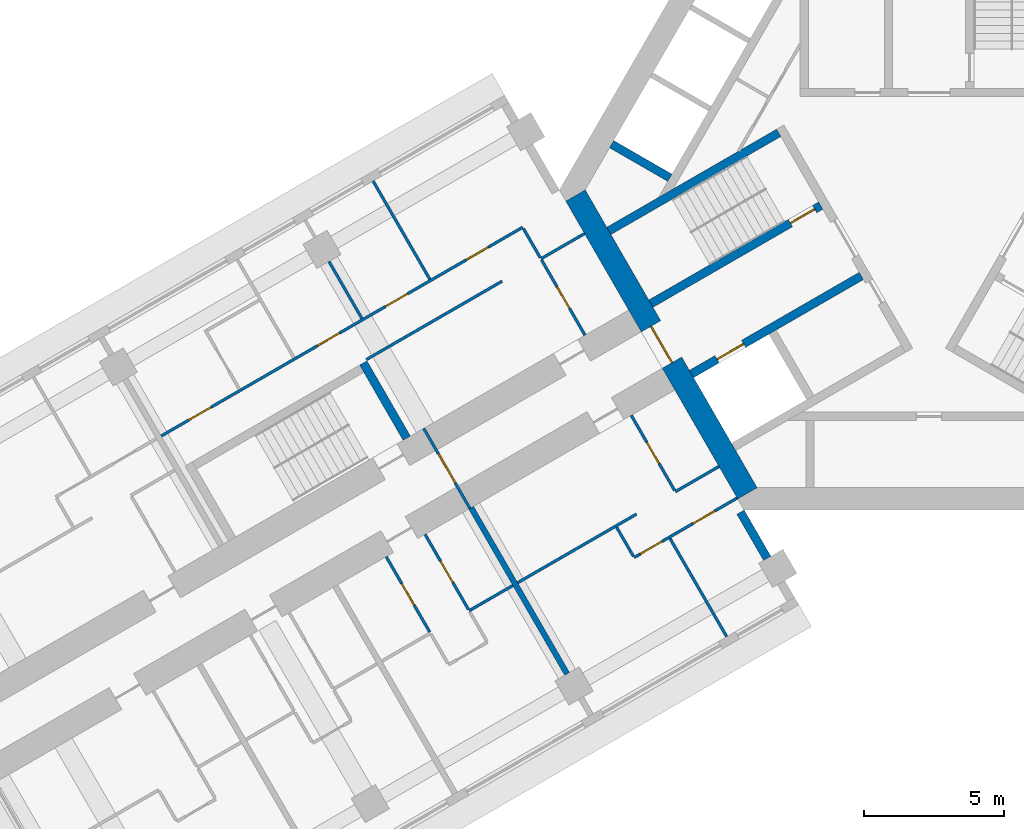
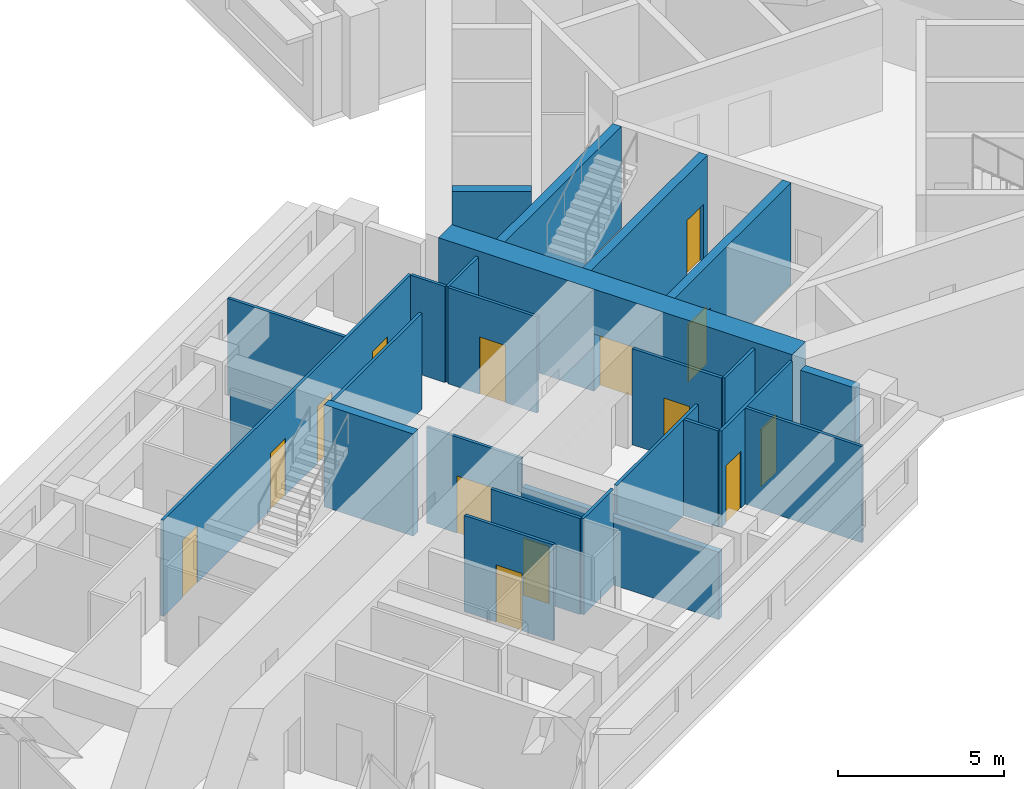
# One storey, part 4 of 13: 25 walls, 14 doors, 14 openings.
"""IFC4 building model written with IfcOpenShell, lengths in metres."""

from ifc_helpers import new_model, si_unit, direction, frame, frame_2d, origin, place, context, subcontext, project, spatial, rectangle, extrude, material, layer, layer_set, type_object, element, fill, save


model = new_model("IFC4")

# Units and contexts
model_context = context("Model", 3, precision=1e-05, world=origin(), true_north=direction((0.0, 1.0)))
body_context = subcontext(model_context, "Body", "Model", "MODEL_VIEW")
ifc_project = project(units=[si_unit("LENGTHUNIT", "METRE"), si_unit("AREAUNIT", "SQUARE_METRE"), si_unit("VOLUMEUNIT", "CUBIC_METRE"), si_unit("PLANEANGLEUNIT", "RADIAN"), si_unit("MASSUNIT", "GRAM", prefix="KILO")], contexts=[model_context])

# Site, building, storey
site_placement = place(None, origin())
site = spatial("IfcSite", under=ifc_project, at=site_placement, CompositionType="ELEMENT")
building_placement = place(site_placement, origin())
building = spatial("IfcBuilding", under=site, at=building_placement, Name="Impinga Residences", CompositionType="ELEMENT")
storey_placement = place(building_placement, frame((0.0, 0.0, 136.0)))
storey = spatial("IfcBuildingStorey", under=building, at=storey_placement, Name="L33", CompositionType="ELEMENT", Elevation=136.0)

# Wall, opening, door
ifc_material_1 = material(Name="Concrete blockwork", Category="masonry")
ifc_layer_1 = layer(ifc_material_1, 0.10009765625)
ifc_layer_set_1 = layer_set([ifc_layer_1], Name="CP1 core room partition, blockwork 100")
wall_type_1 = type_object("IfcWallType", Name="CP1 core room partition, blockwork 100", PredefinedType="PARTITIONING", material=ifc_layer_set_1)
wall_1_placement = place(storey_placement, frame((-16.393310546875, -11.369873046875, 0.0), z_axis=(0.0, 0.0, 1.0), x_axis=(-0.499974350878, 0.866040211805, 0.0)))
wall_1 = element("IfcWall", 1, at=wall_1_placement, inside=storey, type_object=wall_type_1, Name="Core room partition, blockwork L33:W:SCR", PredefinedType="PARTITIONING", context=body_context, shape_type="SweptSolid", body=[
    extrude(rectangle(XDim=3.300048828125, YDim=0.10009765625, at=frame_2d((1.64990234375, 0.0))), origin(), (0.0, 0.0, 1.0), 3.530029296875),
])
opening_1_placement = place(wall_1_placement, frame((1.050048828125, 0.0, 0.0)))
opening_1 = element("IfcOpeningElement", 2, at=opening_1_placement, cuts=wall_1, Name="Opening D3", PredefinedType="OPENING", context=body_context, shape_type="SweptSolid", body=[
    extrude(rectangle(XDim=1.199951171875, YDim=2.10009765625, at=frame_2d((0.60009765625, 1.050048828125))), frame((0.0, 0.06005859375, 0.0), z_axis=(0.0, -1.0, 0.0), x_axis=(1.0, 0.0, 0.0)), (0.0, 0.0, 1.0), 0.1201171875),
])
ifc_material_2 = material(Name="Timber door set", Category="wood")
door_type_1 = type_object("IfcDoorType", Name="D3 room door, leaf and a half 1200x2100", OperationType="DOUBLE_SWING_LEFT", PredefinedType="DOOR", material=ifc_material_2)
door_1_placement = place(opening_1_placement, origin())
door_1 = element("IfcDoor", 3, at=door_1_placement, inside=storey, type_object=door_type_1, Name="Corridor smoke door W", OperationType="DOUBLE_SWING_LEFT", OverallHeight=2.10009765625, OverallWidth=1.199951171875, PredefinedType="DOOR", context=body_context, shape_type="SweptSolid", body=[
    extrude(rectangle(XDim=1.199951171875, YDim=2.10009765625, at=frame_2d((0.60009765625, 1.050048828125))), frame((0.0, 0.02490234375, 0.0), z_axis=(0.0, -1.0, 0.0), x_axis=(1.0, 0.0, 0.0)), (0.0, 0.0, 1.0), 0.050048828125),
])
fill(opening_1, door_1)

# Walls
ifc_material_3 = material(Name="Terracotta rainscreen on blockwork", Category="masonry")
ifc_layer_2 = layer(ifc_material_3, 0.300048828125)
ifc_layer_set_2 = layer_set([ifc_layer_2], Name="EW1 external wall, terracotta rainscreen on blockwork 300")
wall_type_2 = type_object("IfcWallType", Name="EW1 external wall, terracotta rainscreen on blockwork 300", PredefinedType="SOLIDWALL", material=ifc_layer_set_2)
wall_2_placement = place(storey_placement, frame((-6.72998046875, -11.506591796875, 0.0), z_axis=(0.0, 0.0, 1.0), x_axis=(0.500063520245, -0.865988727248, 0.0)))
element("IfcWall", 4, at=wall_2_placement, inside=storey, type_object=wall_type_2, Name="External wall EW1 L33", PredefinedType="SOLIDWALL", context=body_context, shape_type="SweptSolid", body=[
    extrude(rectangle(XDim=1.900146484375, YDim=0.300048828125, at=frame_2d((0.9501953125, 0.0))), origin(), (0.0, 0.0, 1.0), 3.530029296875),
])
ifc_material_4 = material(Name="Gypsum board on steel studs", Category="steel")
ifc_layer_3 = layer(ifc_material_4, 0.10009765625)
ifc_layer_set_3 = layer_set([ifc_layer_3], Name="Gypsum board on steel studs")
wall_type_3 = type_object("IfcWallType", Name="IP1 partition 100", PredefinedType="PARTITIONING", material=ifc_layer_set_3)
wall_3_placement = place(storey_placement, frame((-7.5, -9.872802734375, 0.0), z_axis=(0.0, 0.0, 1.0), x_axis=(-0.866047807691, -0.499961193289, 0.0)))
element("IfcWall", 5, at=wall_3_placement, inside=storey, type_object=wall_type_3, Name="Partition L33-WA1:DIV0", PredefinedType="PARTITIONING", context=body_context, shape_type="SweptSolid", body=[
    extrude(rectangle(XDim=1.800048828125, YDim=0.10009765625, at=frame_2d((0.89990234375, 0.0))), origin(), (0.0, 0.0, 1.0), 3.530029296875),
])
wall_4_placement = place(storey_placement, frame((-10.444580078125, -11.57275390625, 0.0), z_axis=(0.0, 0.0, 1.0), x_axis=(-0.866023786258, -0.500002801628, 0.0)))
element("IfcWall", 6, at=wall_4_placement, inside=storey, type_object=wall_type_3, Name="Partition L33-WA1:DIV1", PredefinedType="PARTITIONING", context=body_context, shape_type="SweptSolid", body=[
    extrude(rectangle(XDim=4.89990234375, YDim=0.10009765625, at=frame_2d((2.449951171875, 0.0))), origin(), (0.0, 0.0, 1.0), 3.530029296875),
])

# Wall, openings, doors
wall_5_placement = place(storey_placement, frame((-6.85009765625, -10.99853515625, 0.0), z_axis=(0.0, 0.0, 1.0), x_axis=(-0.866014341725, -0.50001915956, 0.0)))
wall_5 = element("IfcWall", 7, at=wall_5_placement, inside=storey, type_object=wall_type_3, Name="Partition L33-WA1:STRIP", PredefinedType="PARTITIONING", context=body_context, shape_type="SweptSolid", body=[
    extrude(rectangle(XDim=4.249755859375, YDim=0.10009765625, at=frame_2d((2.125, 0.0))), origin(), (0.0, 0.0, 1.0), 3.530029296875),
])
opening_2_placement = place(wall_5_placement, frame((0.925048828125, 0.0, 0.0)))
opening_2 = element("IfcOpeningElement", 8, at=opening_2_placement, cuts=wall_5, Name="Opening D2", PredefinedType="OPENING", context=body_context, shape_type="SweptSolid", body=[
    extrude(rectangle(XDim=0.89990234375, YDim=2.10009765625, at=frame_2d((0.449951171875, 1.050048828125))), frame((0.0, 0.06005859375, 0.0), z_axis=(0.0, -1.0, 0.0), x_axis=(1.0, 0.0, 0.0)), (0.0, 0.0, 1.0), 0.1201171875),
])
opening_3_placement = place(wall_5_placement, frame((3.10009765625, 0.0, 0.0)))
opening_3 = element("IfcOpeningElement", 9, at=opening_3_placement, cuts=wall_5, Name="Opening D2", PredefinedType="OPENING", context=body_context, shape_type="SweptSolid", body=[
    extrude(rectangle(XDim=0.89990234375, YDim=2.10009765625, at=frame_2d((0.449951171875, 1.050048828125))), frame((0.0, 0.06005859375, 0.0), z_axis=(0.0, -1.0, 0.0), x_axis=(1.0, 0.0, 0.0)), (0.0, 0.0, 1.0), 0.1201171875),
])
door_type_2 = type_object("IfcDoorType", Name="D2 internal door 900x2100", OperationType="SINGLE_SWING_LEFT", PredefinedType="DOOR", material=ifc_material_2)
door_2_placement = place(opening_2_placement, origin())
door_2 = element("IfcDoor", 10, at=door_2_placement, inside=storey, type_object=door_type_2, Name="Apartment L33-WA1 room door", OperationType="SINGLE_SWING_LEFT", OverallHeight=2.10009765625, OverallWidth=0.89990234375, PredefinedType="DOOR", context=body_context, shape_type="SweptSolid", body=[
    extrude(rectangle(XDim=0.89990234375, YDim=2.10009765625, at=frame_2d((0.449951171875, 1.050048828125))), frame((0.0, 0.02490234375, 0.0), z_axis=(0.0, -1.0, 0.0), x_axis=(1.0, 0.0, 0.0)), (0.0, 0.0, 1.0), 0.050048828125),
])
fill(opening_2, door_2)
door_3_placement = place(opening_3_placement, origin())
door_3 = element("IfcDoor", 11, at=door_3_placement, inside=storey, type_object=door_type_2, Name="Apartment L33-WA1 room door", OperationType="SINGLE_SWING_RIGHT", OverallHeight=2.10009765625, OverallWidth=0.89990234375, PredefinedType="DOOR", context=body_context, shape_type="SweptSolid", body=[
    extrude(rectangle(XDim=0.89990234375, YDim=2.10009765625, at=frame_2d((0.449951171875, 1.050048828125))), frame((0.0, 0.02490234375, 0.0), z_axis=(0.0, -1.0, 0.0), x_axis=(1.0, 0.0, 0.0)), (0.0, 0.0, 1.0), 0.050048828125),
])
fill(opening_3, door_3)

# Wall
wall_6_placement = place(storey_placement, frame((-11.155517578125, -12.041015625, 0.0), z_axis=(0.0, 0.0, 1.0), x_axis=(0.499880961361, -0.866094119867, 0.0)))
element("IfcWall", 12, at=wall_6_placement, inside=storey, type_object=wall_type_3, Name="Partition L33-WA1:SE1", PredefinedType="PARTITIONING", context=body_context, shape_type="SweptSolid", body=[
    extrude(rectangle(XDim=1.199951171875, YDim=0.10009765625, at=frame_2d((0.60009765625, 0.0))), origin(), (0.0, 0.0, 1.0), 3.530029296875),
])

# Wall, opening, door
wall_7_placement = place(storey_placement, frame((-10.6337890625, -8.044677734375, 0.0), z_axis=(0.0, 0.0, 1.0), x_axis=(0.49999285859, -0.86602952684, 0.0)))
wall_7 = element("IfcWall", 13, at=wall_7_placement, inside=storey, type_object=wall_type_3, Name="Partition L33-WA1:IB1", PredefinedType="PARTITIONING", context=body_context, shape_type="SweptSolid", body=[
    extrude(rectangle(XDim=3.10009765625, YDim=0.10009765625, at=frame_2d((1.550048828125, 0.0))), origin(), (0.0, 0.0, 1.0), 3.530029296875),
])
opening_4_placement = place(wall_7_placement, frame((1.10009765625, 0.0, 0.0)))
opening_4 = element("IfcOpeningElement", 14, at=opening_4_placement, cuts=wall_7, Name="Opening D2", PredefinedType="OPENING", context=body_context, shape_type="SweptSolid", body=[
    extrude(rectangle(XDim=0.89990234375, YDim=2.10009765625, at=frame_2d((0.449951171875, 1.050048828125))), frame((0.0, 0.06005859375, 0.0), z_axis=(0.0, -1.0, 0.0), x_axis=(1.0, 0.0, 0.0)), (0.0, 0.0, 1.0), 0.1201171875),
])
door_4_placement = place(opening_4_placement, origin())
door_4 = element("IfcDoor", 15, at=door_4_placement, inside=storey, type_object=door_type_2, Name="Apartment L33-WA1 bathroom door", OperationType="SINGLE_SWING_LEFT", OverallHeight=2.10009765625, OverallWidth=0.89990234375, PredefinedType="DOOR", context=body_context, shape_type="SweptSolid", body=[
    extrude(rectangle(XDim=0.89990234375, YDim=2.10009765625, at=frame_2d((0.449951171875, 1.050048828125))), frame((0.0, 0.02490234375, 0.0), z_axis=(0.0, -1.0, 0.0), x_axis=(1.0, 0.0, 0.0)), (0.0, 0.0, 1.0), 0.050048828125),
])
fill(opening_4, door_4)

# Walls
wall_8_placement = place(storey_placement, frame((-9.249755859375, -12.44189453125, 0.0), z_axis=(0.0, 0.0, 1.0), x_axis=(0.499990325971, -0.866030989016, 0.0)))
element("IfcWall", 16, at=wall_8_placement, inside=storey, type_object=wall_type_3, Name="Partition L33-WA1:OB1", PredefinedType="PARTITIONING", context=body_context, shape_type="SweptSolid", body=[
    extrude(rectangle(XDim=4.0498046875, YDim=0.10009765625, at=frame_2d((2.02490234375, 0.0))), origin(), (0.0, 0.0, 1.0), 3.530029296875),
])
wall_9_placement = place(storey_placement, frame((-14.861328125, -14.122802734375, 0.0), z_axis=(0.0, 0.0, 1.0), x_axis=(-0.866047807691, -0.499961193289, 0.0)))
element("IfcWall", 17, at=wall_9_placement, inside=storey, type_object=wall_type_3, Name="Partition L33-WA2:DIV0", PredefinedType="PARTITIONING", context=body_context, shape_type="SweptSolid", body=[
    extrude(rectangle(XDim=1.800048828125, YDim=0.10009765625, at=frame_2d((0.89990234375, 0.0))), origin(), (0.0, 0.0, 1.0), 3.530029296875),
])

# Wall, opening, door
wall_10_placement = place(storey_placement, frame((-17.9951171875, -12.294677734375, 0.0), z_axis=(0.0, 0.0, 1.0), x_axis=(0.49999285859, -0.86602952684, 0.0)))
wall_10 = element("IfcWall", 18, at=wall_10_placement, inside=storey, type_object=wall_type_3, Name="Partition L33-WA2:IB1", PredefinedType="PARTITIONING", context=body_context, shape_type="SweptSolid", body=[
    extrude(rectangle(XDim=3.10009765625, YDim=0.10009765625, at=frame_2d((1.550048828125, 0.0))), origin(), (0.0, 0.0, 1.0), 3.530029296875),
])
opening_5_placement = place(wall_10_placement, frame((1.10009765625, 0.0, 0.0)))
opening_5 = element("IfcOpeningElement", 19, at=opening_5_placement, cuts=wall_10, Name="Opening D2", PredefinedType="OPENING", context=body_context, shape_type="SweptSolid", body=[
    extrude(rectangle(XDim=0.89990234375, YDim=2.10009765625, at=frame_2d((0.449951171875, 1.050048828125))), frame((0.0, 0.06005859375, 0.0), z_axis=(0.0, -1.0, 0.0), x_axis=(1.0, 0.0, 0.0)), (0.0, 0.0, 1.0), 0.1201171875),
])
door_5_placement = place(opening_5_placement, origin())
door_5 = element("IfcDoor", 20, at=door_5_placement, inside=storey, type_object=door_type_2, Name="Apartment L33-WA2 bathroom door", OperationType="SINGLE_SWING_LEFT", OverallHeight=2.10009765625, OverallWidth=0.89990234375, PredefinedType="DOOR", context=body_context, shape_type="SweptSolid", body=[
    extrude(rectangle(XDim=0.89990234375, YDim=2.10009765625, at=frame_2d((0.449951171875, 1.050048828125))), frame((0.0, 0.02490234375, 0.0), z_axis=(0.0, -1.0, 0.0), x_axis=(1.0, 0.0, 0.0)), (0.0, 0.0, 1.0), 0.050048828125),
])
fill(opening_5, door_5)

wall_11_placement = place(storey_placement, frame((-19.380615234375, -13.0947265625, 0.0), z_axis=(0.0, 0.0, 1.0), x_axis=(0.499967891604, -0.866043940782, 0.0)))
wall_11 = element("IfcWall", 21, at=wall_11_placement, inside=storey, type_object=wall_type_3, Name="Partition L33-WA2:IB2", PredefinedType="PARTITIONING", context=body_context, shape_type="SweptSolid", body=[
    extrude(rectangle(XDim=3.099853515625, YDim=0.10009765625, at=frame_2d((1.5498046875, 0.0))), origin(), (0.0, 0.0, 1.0), 3.530029296875),
])
opening_6_placement = place(wall_11_placement, frame((1.10009765625, 0.0, 0.0)))
opening_6 = element("IfcOpeningElement", 22, at=opening_6_placement, cuts=wall_11, Name="Opening D2", PredefinedType="OPENING", context=body_context, shape_type="SweptSolid", body=[
    extrude(rectangle(XDim=0.89990234375, YDim=2.10009765625, at=frame_2d((0.449951171875, 1.050048828125))), frame((0.0, 0.06005859375, 0.0), z_axis=(0.0, -1.0, 0.0), x_axis=(1.0, 0.0, 0.0)), (0.0, 0.0, 1.0), 0.1201171875),
])
door_6_placement = place(opening_6_placement, origin())
door_6 = element("IfcDoor", 23, at=door_6_placement, inside=storey, type_object=door_type_2, Name="Apartment L33-WA2 WC door", OperationType="SINGLE_SWING_LEFT", OverallHeight=2.10009765625, OverallWidth=0.89990234375, PredefinedType="DOOR", context=body_context, shape_type="SweptSolid", body=[
    extrude(rectangle(XDim=0.89990234375, YDim=2.10009765625, at=frame_2d((0.449951171875, 1.050048828125))), frame((0.0, 0.02490234375, 0.0), z_axis=(0.0, -1.0, 0.0), x_axis=(1.0, 0.0, 0.0)), (0.0, 0.0, 1.0), 0.050048828125),
])
fill(opening_6, door_6)

# Walls
wall_12_placement = place(storey_placement, frame((-12.300048828125, -1.558837890625, 0.0), z_axis=(0.0, 0.0, 1.0), x_axis=(-0.866047807691, -0.499961193289, 0.0)))
element("IfcWall", 24, at=wall_12_placement, inside=storey, type_object=wall_type_3, Name="Partition L33-WF1:DIV0", PredefinedType="PARTITIONING", context=body_context, shape_type="SweptSolid", body=[
    extrude(rectangle(XDim=1.800048828125, YDim=0.10009765625, at=frame_2d((0.89990234375, 0.0))), origin(), (0.0, 0.0, 1.0), 3.530029296875),
])
wall_13_placement = place(storey_placement, frame((-15.244384765625, -3.2587890625, 0.0), z_axis=(0.0, 0.0, 1.0), x_axis=(-0.866026594901, -0.49999793692, 0.0)))
element("IfcWall", 25, at=wall_13_placement, inside=storey, type_object=wall_type_3, Name="Partition L33-WF1:DIV1", PredefinedType="PARTITIONING", context=body_context, shape_type="SweptSolid", body=[
    extrude(rectangle(XDim=5.60009765625, YDim=0.10009765625, at=frame_2d((2.800048828125, 0.0))), origin(), (0.0, 0.0, 1.0), 3.530029296875),
])

# Wall, openings, doors
wall_14_placement = place(storey_placement, frame((-14.5087890625, -1.3330078125, 0.0), z_axis=(0.0, 0.0, 1.0), x_axis=(-0.866027327438, -0.499996668119, 0.0)))
wall_14 = element("IfcWall", 26, at=wall_14_placement, inside=storey, type_object=wall_type_3, Name="Partition L33-WF1:STRIP", PredefinedType="PARTITIONING", context=body_context, shape_type="SweptSolid", body=[
    extrude(rectangle(XDim=14.89990234375, YDim=0.10009765625, at=frame_2d((7.449951171875, 0.0))), origin(), (0.0, 0.0, 1.0), 3.530029296875),
])
opening_7_placement = place(wall_14_placement, frame((1.425048828125, 0.0, 0.0)))
opening_7 = element("IfcOpeningElement", 27, at=opening_7_placement, cuts=wall_14, Name="Opening D2", PredefinedType="OPENING", context=body_context, shape_type="SweptSolid", body=[
    extrude(rectangle(XDim=0.89990234375, YDim=2.10009765625, at=frame_2d((0.449951171875, 1.050048828125))), frame((0.0, 0.06005859375, 0.0), z_axis=(0.0, -1.0, 0.0), x_axis=(1.0, 0.0, 0.0)), (0.0, 0.0, 1.0), 0.1201171875),
])
opening_8_placement = place(wall_14_placement, frame((4.75, 0.0, 0.0)))
opening_8 = element("IfcOpeningElement", 28, at=opening_8_placement, cuts=wall_14, Name="Opening D2", PredefinedType="OPENING", context=body_context, shape_type="SweptSolid", body=[
    extrude(rectangle(XDim=0.89990234375, YDim=2.10009765625, at=frame_2d((0.449951171875, 1.050048828125))), frame((0.0, 0.06005859375, 0.0), z_axis=(0.0, -1.0, 0.0), x_axis=(1.0, 0.0, 0.0)), (0.0, 0.0, 1.0), 0.1201171875),
])
opening_9_placement = place(wall_14_placement, frame((7.550048828125, 0.0, 0.0)))
opening_9 = element("IfcOpeningElement", 29, at=opening_9_placement, cuts=wall_14, Name="Opening D2", PredefinedType="OPENING", context=body_context, shape_type="SweptSolid", body=[
    extrude(rectangle(XDim=0.89990234375, YDim=2.10009765625, at=frame_2d((0.449951171875, 1.050048828125))), frame((0.0, 0.06005859375, 0.0), z_axis=(0.0, -1.0, 0.0), x_axis=(1.0, 0.0, 0.0)), (0.0, 0.0, 1.0), 0.1201171875),
])
opening_10_placement = place(wall_14_placement, frame((12.85009765625, 0.0, 0.0)))
opening_10 = element("IfcOpeningElement", 30, at=opening_10_placement, cuts=wall_14, Name="Opening D2", PredefinedType="OPENING", context=body_context, shape_type="SweptSolid", body=[
    extrude(rectangle(XDim=0.89990234375, YDim=2.10009765625, at=frame_2d((0.449951171875, 1.050048828125))), frame((0.0, 0.06005859375, 0.0), z_axis=(0.0, -1.0, 0.0), x_axis=(1.0, 0.0, 0.0)), (0.0, 0.0, 1.0), 0.1201171875),
])
door_7_placement = place(opening_7_placement, origin())
door_7 = element("IfcDoor", 31, at=door_7_placement, inside=storey, type_object=door_type_2, Name="Apartment L33-WF1 room door", OperationType="SINGLE_SWING_LEFT", OverallHeight=2.10009765625, OverallWidth=0.89990234375, PredefinedType="DOOR", context=body_context, shape_type="SweptSolid", body=[
    extrude(rectangle(XDim=0.89990234375, YDim=2.10009765625, at=frame_2d((0.449951171875, 1.050048828125))), frame((0.0, 0.02490234375, 0.0), z_axis=(0.0, -1.0, 0.0), x_axis=(1.0, 0.0, 0.0)), (0.0, 0.0, 1.0), 0.050048828125),
])
fill(opening_7, door_7)
door_8_placement = place(opening_8_placement, origin())
door_8 = element("IfcDoor", 32, at=door_8_placement, inside=storey, type_object=door_type_2, Name="Apartment L33-WF1 room door", OperationType="SINGLE_SWING_LEFT", OverallHeight=2.10009765625, OverallWidth=0.89990234375, PredefinedType="DOOR", context=body_context, shape_type="SweptSolid", body=[
    extrude(rectangle(XDim=0.89990234375, YDim=2.10009765625, at=frame_2d((0.449951171875, 1.050048828125))), frame((0.0, 0.02490234375, 0.0), z_axis=(0.0, -1.0, 0.0), x_axis=(1.0, 0.0, 0.0)), (0.0, 0.0, 1.0), 0.050048828125),
])
fill(opening_8, door_8)
door_9_placement = place(opening_9_placement, origin())
door_9 = element("IfcDoor", 33, at=door_9_placement, inside=storey, type_object=door_type_2, Name="Apartment L33-WF1 room door", OperationType="SINGLE_SWING_RIGHT", OverallHeight=2.10009765625, OverallWidth=0.89990234375, PredefinedType="DOOR", context=body_context, shape_type="SweptSolid", body=[
    extrude(rectangle(XDim=0.89990234375, YDim=2.10009765625, at=frame_2d((0.449951171875, 1.050048828125))), frame((0.0, 0.02490234375, 0.0), z_axis=(0.0, -1.0, 0.0), x_axis=(1.0, 0.0, 0.0)), (0.0, 0.0, 1.0), 0.050048828125),
])
fill(opening_9, door_9)
door_10_placement = place(opening_10_placement, origin())
door_10 = element("IfcDoor", 34, at=door_10_placement, inside=storey, type_object=door_type_2, Name="Apartment L33-WF1 room door", OperationType="SINGLE_SWING_RIGHT", OverallHeight=2.10009765625, OverallWidth=0.89990234375, PredefinedType="DOOR", context=body_context, shape_type="SweptSolid", body=[
    extrude(rectangle(XDim=0.89990234375, YDim=2.10009765625, at=frame_2d((0.449951171875, 1.050048828125))), frame((0.0, 0.02490234375, 0.0), z_axis=(0.0, -1.0, 0.0), x_axis=(1.0, 0.0, 0.0)), (0.0, 0.0, 1.0), 0.050048828125),
])
fill(opening_10, door_10)

# Wall
wall_15_placement = place(storey_placement, frame((-13.8837890625, -2.41552734375, 0.0), z_axis=(0.0, 0.0, 1.0), x_axis=(-0.500033551112, 0.866006032174, 0.0)))
element("IfcWall", 35, at=wall_15_placement, inside=storey, type_object=wall_type_3, Name="Partition L33-WF1:SE0", PredefinedType="PARTITIONING", context=body_context, shape_type="SweptSolid", body=[
    extrude(rectangle(XDim=1.2001953125, YDim=0.10009765625, at=frame_2d((0.60009765625, 0.0))), origin(), (0.0, 0.0, 1.0), 3.530029296875),
])

# Wall, opening, door
wall_16_placement = place(storey_placement, frame((-12.283935546875, -5.186767578125, 0.0), z_axis=(0.0, 0.0, 1.0), x_axis=(-0.499967891604, 0.866043940782, 0.0)))
wall_16 = element("IfcWall", 36, at=wall_16_placement, inside=storey, type_object=wall_type_3, Name="Partition L33-WF1:IB1", PredefinedType="PARTITIONING", context=body_context, shape_type="SweptSolid", body=[
    extrude(rectangle(XDim=3.099853515625, YDim=0.10009765625, at=frame_2d((1.5498046875, 0.0))), origin(), (0.0, 0.0, 1.0), 3.530029296875),
])
opening_11_placement = place(wall_16_placement, frame((1.10009765625, 0.0, 0.0)))
opening_11 = element("IfcOpeningElement", 37, at=opening_11_placement, cuts=wall_16, Name="Opening D2", PredefinedType="OPENING", context=body_context, shape_type="SweptSolid", body=[
    extrude(rectangle(XDim=0.89990234375, YDim=2.10009765625, at=frame_2d((0.449951171875, 1.050048828125))), frame((0.0, 0.06005859375, 0.0), z_axis=(0.0, -1.0, 0.0), x_axis=(1.0, 0.0, 0.0)), (0.0, 0.0, 1.0), 0.1201171875),
])
door_11_placement = place(opening_11_placement, origin())
door_11 = element("IfcDoor", 38, at=door_11_placement, inside=storey, type_object=door_type_2, Name="Apartment L33-WF1 bathroom door", OperationType="SINGLE_SWING_LEFT", OverallHeight=2.10009765625, OverallWidth=0.89990234375, PredefinedType="DOOR", context=body_context, shape_type="SweptSolid", body=[
    extrude(rectangle(XDim=0.89990234375, YDim=2.10009765625, at=frame_2d((0.449951171875, 1.050048828125))), frame((0.0, 0.02490234375, 0.0), z_axis=(0.0, -1.0, 0.0), x_axis=(1.0, 0.0, 0.0)), (0.0, 0.0, 1.0), 0.050048828125),
])
fill(opening_11, door_11)

# Walls
wall_17_placement = place(storey_placement, frame((-17.82470703125, -3.189697265625, 0.0), z_axis=(0.0, 0.0, 1.0), x_axis=(-0.500035537042, 0.866004885491, 0.0)))
element("IfcWall", 39, at=wall_17_placement, inside=storey, type_object=wall_type_3, Name="Partition L33-WF1:OB1", PredefinedType="PARTITIONING", context=body_context, shape_type="SweptSolid", body=[
    extrude(rectangle(XDim=4.050048828125, YDim=0.10009765625, at=frame_2d((2.02490234375, 0.0))), origin(), (0.0, 0.0, 1.0), 3.530029296875),
])
wall_18_placement = place(storey_placement, frame((-20.24951171875, -4.589599609375, 0.0), z_axis=(0.0, 0.0, 1.0), x_axis=(-0.500016218704, 0.866016039709, 0.0)))
element("IfcWall", 40, at=wall_18_placement, inside=storey, type_object=wall_type_3, Name="Partition L33-WF1:OB2", PredefinedType="PARTITIONING", context=body_context, shape_type="SweptSolid", body=[
    extrude(rectangle(XDim=2.35009765625, YDim=0.10009765625, at=frame_2d((1.175048828125, 0.0))), origin(), (0.0, 0.0, 1.0), 2.47998046875),
])
ifc_layer_4 = layer(ifc_material_1, 0.199951171875)
ifc_layer_set_4 = layer_set([ifc_layer_4], Name="PW1 party wall between apartments 200")
wall_type_4 = type_object("IfcWallType", Name="PW1 party wall between apartments 200", PredefinedType="SOLIDWALL", material=ifc_layer_set_4)
wall_19_placement = place(storey_placement, frame((-16.349609375, -11.3447265625, 0.0), z_axis=(0.0, 0.0, 1.0), x_axis=(0.499999086063, -0.866025931445, 0.0)))
element("IfcWall", 41, at=wall_19_placement, inside=storey, type_object=wall_type_4, Name="Party wall between apartments L33-WA1:PARTY", PredefinedType="SOLIDWALL", context=body_context, shape_type="SweptSolid", body=[
    extrude(rectangle(XDim=6.85009765625, YDim=0.199951171875, at=frame_2d((3.425048828125, 0.0))), origin(), (0.0, 0.0, 1.0), 2.47998046875),
])
ifc_material_5 = material(Name="Concrete C60/75", Category="concrete")
ifc_layer_5 = layer(ifc_material_5, 0.300048828125)
ifc_layer_set_5 = layer_set([ifc_layer_5], Name="Concrete C60/75")
wall_type_5 = type_object("IfcWallType", Name="SE1 wing stair enclosure wall 300", PredefinedType="SOLIDWALL", material=ifc_layer_set_5)
wall_20_placement = place(storey_placement, frame((-18.649169921875, -8.86181640625, 0.0), z_axis=(0.0, 0.0, 1.0), x_axis=(-0.500026960575, 0.86600983753, 0.0)))
element("IfcWall", 42, at=wall_20_placement, inside=storey, type_object=wall_type_5, Name="Stair enclosure wall SE1 W END0 L33", PredefinedType="SOLIDWALL", context=body_context, shape_type="SweptSolid", body=[
    extrude(rectangle(XDim=3.099853515625, YDim=0.300048828125, at=frame_2d((1.5498046875, 0.0))), origin(), (0.0, 0.0, 1.0), 3.75),
])

# Wall, opening, door
ifc_layer_6 = layer(ifc_material_5, 0.800048828125)
ifc_layer_set_6 = layer_set([ifc_layer_6], Name="Concrete C60/75")
wall_type_6 = type_object("IfcWallType", Name="SW2 core wall 800", PredefinedType="SHEAR", material=ifc_layer_set_6)
wall_21_placement = place(storey_placement, frame((-6.484619140625, -10.83154296875, 0.0), z_axis=(0.0, 0.0, 1.0), x_axis=(-0.499986991068, 0.866032914365, 0.0)))
wall_21 = element("IfcWall", 43, at=wall_21_placement, inside=storey, type_object=wall_type_6, Name="Core wall SW2 W:FACE L33", PredefinedType="SHEAR", context=body_context, shape_type="SweptSolid", body=[
    extrude(rectangle(XDim=12.276123046875, YDim=0.800048828125, at=frame_2d((6.13818359375, 0.0))), origin(), (0.0, 0.0, 1.0), 3.75),
])
opening_12_placement = place(wall_21_placement, frame((5.38818359375, 0.0, 0.0)))
opening_12 = element("IfcOpeningElement", 44, at=opening_12_placement, cuts=wall_21, Name="Opening D4", PredefinedType="OPENING", context=body_context, shape_type="SweptSolid", body=[
    extrude(rectangle(XDim=1.5, YDim=2.10009765625, at=frame_2d((0.75, 1.050048828125))), frame((0.0, 0.409912109375, 0.0), z_axis=(0.0, -1.0, 0.0), x_axis=(1.0, 0.0, 0.0)), (0.0, 0.0, 1.0), 0.820068359375),
])
door_type_3 = type_object("IfcDoorType", Name="D4 lobby door pair 1500x2100", OperationType="DOUBLE_DOOR_DOUBLE_SWING", PredefinedType="DOOR", material=ifc_material_2)
door_12_placement = place(opening_12_placement, origin())
door_12 = element("IfcDoor", 45, at=door_12_placement, inside=storey, type_object=door_type_3, Name="Lobby door W", OperationType="DOUBLE_DOOR_DOUBLE_SWING", OverallHeight=2.10009765625, OverallWidth=1.5, PredefinedType="DOOR", context=body_context, shape_type="SweptSolid", body=[
    extrude(rectangle(XDim=1.5, YDim=2.10009765625, at=frame_2d((0.75, 1.050048828125))), frame((0.0, 0.02490234375, 0.0), z_axis=(0.0, -1.0, 0.0), x_axis=(1.0, 0.0, 0.0)), (0.0, 0.0, 1.0), 0.050048828125),
])
fill(opening_12, door_12)

ifc_material_6 = material(Name="Concrete C70/85", Category="concrete")
ifc_layer_7 = layer(ifc_material_6, 0.300048828125)
ifc_layer_set_7 = layer_set([ifc_layer_7], Name="Concrete C70/85")
wall_type_7 = type_object("IfcWallType", Name="SW5 core inner wall, stairs, shafts and lobbies 300", PredefinedType="SHEAR", material=ifc_layer_set_7)
wall_22_placement = place(storey_placement, frame((-3.86865234375, -0.559326171875, 0.0), z_axis=(0.0, 0.0, 1.0), x_axis=(-0.866026480128, -0.499998135713, 0.0)))
wall_22 = element("IfcWall", 46, at=wall_22_placement, inside=storey, type_object=wall_type_7, Name="Core wall SW5 W:ST-IN L33", PredefinedType="SHEAR", context=body_context, shape_type="SweptSolid", body=[
    extrude(rectangle(XDim=7.00146484375, YDim=0.300048828125, at=frame_2d((3.500732421875, 0.0))), origin(), (0.0, 0.0, 1.0), 3.75),
])
opening_13_placement = place(wall_22_placement, frame((0.25, 0.0, 0.0)))
opening_13 = element("IfcOpeningElement", 47, at=opening_13_placement, cuts=wall_22, Name="Opening D5", PredefinedType="OPENING", context=body_context, shape_type="SweptSolid", body=[
    extrude(rectangle(XDim=1.0, YDim=2.10009765625, at=frame_2d((0.5, 1.050048828125))), frame((0.0, 0.159912109375, 0.0), z_axis=(0.0, -1.0, 0.0), x_axis=(1.0, 0.0, 0.0)), (0.0, 0.0, 1.0), 0.320068359375),
])
door_type_4 = type_object("IfcDoorType", Name="D5 stair door 1000x2100", OperationType="SINGLE_SWING_LEFT", PredefinedType="DOOR", material=ifc_material_2)
door_13_placement = place(opening_13_placement, origin())
door_13 = element("IfcDoor", 48, at=door_13_placement, inside=storey, type_object=door_type_4, Name="Stair door W", OperationType="SINGLE_SWING_LEFT", OverallHeight=2.10009765625, OverallWidth=1.0, PredefinedType="DOOR", context=body_context, shape_type="SweptSolid", body=[
    extrude(rectangle(XDim=1.0, YDim=2.10009765625, at=frame_2d((0.5, 1.050048828125))), frame((0.0, 0.02490234375, 0.0), z_axis=(0.0, -1.0, 0.0), x_axis=(1.0, 0.0, 0.0)), (0.0, 0.0, 1.0), 0.050048828125),
])
fill(opening_13, door_13)

# Wall
wall_23_placement = place(storey_placement, frame((-5.36865234375, 2.038818359375, 0.0), z_axis=(0.0, 0.0, 1.0), x_axis=(-0.866026480128, -0.499998135713, 0.0)))
element("IfcWall", 49, at=wall_23_placement, inside=storey, type_object=wall_type_7, Name="Core wall SW5 W:ST-OUT L33", PredefinedType="SHEAR", context=body_context, shape_type="SweptSolid", body=[
    extrude(rectangle(XDim=7.00146484375, YDim=0.300048828125, at=frame_2d((3.500732421875, 0.0))), origin(), (0.0, 0.0, 1.0), 3.75),
])

# Wall, opening, door
wall_24_placement = place(storey_placement, frame((-2.418701171875, -3.07080078125, 0.0), z_axis=(0.0, 0.0, 1.0), x_axis=(-0.866026480128, -0.499998135713, 0.0)))
wall_24 = element("IfcWall", 50, at=wall_24_placement, inside=storey, type_object=wall_type_7, Name="Core wall SW5 W:FF-IN L33", PredefinedType="SHEAR", context=body_context, shape_type="SweptSolid", body=[
    extrude(rectangle(XDim=7.00146484375, YDim=0.300048828125, at=frame_2d((3.500732421875, 0.0))), origin(), (0.0, 0.0, 1.0), 3.75),
])
opening_14_placement = place(wall_24_placement, frame((4.85009765625, 0.0, 0.0)))
opening_14 = element("IfcOpeningElement", 51, at=opening_14_placement, cuts=wall_24, Name="Opening LD2", PredefinedType="OPENING", context=body_context, shape_type="SweptSolid", body=[
    extrude(rectangle(XDim=1.10009765625, YDim=2.10009765625, at=frame_2d((0.550048828125, 1.050048828125))), frame((0.0, 0.159912109375, 0.0), z_axis=(0.0, -1.0, 0.0), x_axis=(1.0, 0.0, 0.0)), (0.0, 0.0, 1.0), 0.320068359375),
])
ifc_material_7 = material(Name="Steel lift landing door", Category="steel")
door_type_5 = type_object("IfcDoorType", Name="LD2 firefighting lift landing door 1100x2100", OperationType="DOUBLE_DOOR_SLIDING", PredefinedType="DOOR", material=ifc_material_7)
door_14_placement = place(opening_14_placement, origin())
door_14 = element("IfcDoor", 52, at=door_14_placement, inside=storey, type_object=door_type_5, Name="Firefighting lift landing door F2", OperationType="DOUBLE_DOOR_SLIDING", OverallHeight=2.10009765625, OverallWidth=1.10009765625, PredefinedType="DOOR", context=body_context, shape_type="SweptSolid", body=[
    extrude(rectangle(XDim=1.10009765625, YDim=2.10009765625, at=frame_2d((0.550048828125, 1.050048828125))), frame((0.0, 0.02490234375, 0.0), z_axis=(0.0, -1.0, 0.0), x_axis=(1.0, 0.0, 0.0)), (0.0, 0.0, 1.0), 0.050048828125),
])
fill(opening_14, door_14)

# Wall
wall_25_placement = place(storey_placement, frame((-9.253662109375, 0.43505859375, 0.0), z_axis=(0.0, 0.0, 1.0), x_axis=(-0.866006032174, 0.500033551112, 0.0)))
element("IfcWall", 53, at=wall_25_placement, inside=storey, type_object=wall_type_7, Name="Core wall SW5 E:BANK-L L33", PredefinedType="SHEAR", context=body_context, shape_type="SweptSolid", body=[
    extrude(rectangle(XDim=2.400146484375, YDim=0.300048828125, at=frame_2d((1.2001953125, 0.0))), origin(), (0.0, 0.0, 1.0), 3.75),
])

save(model, "model.ifc")
